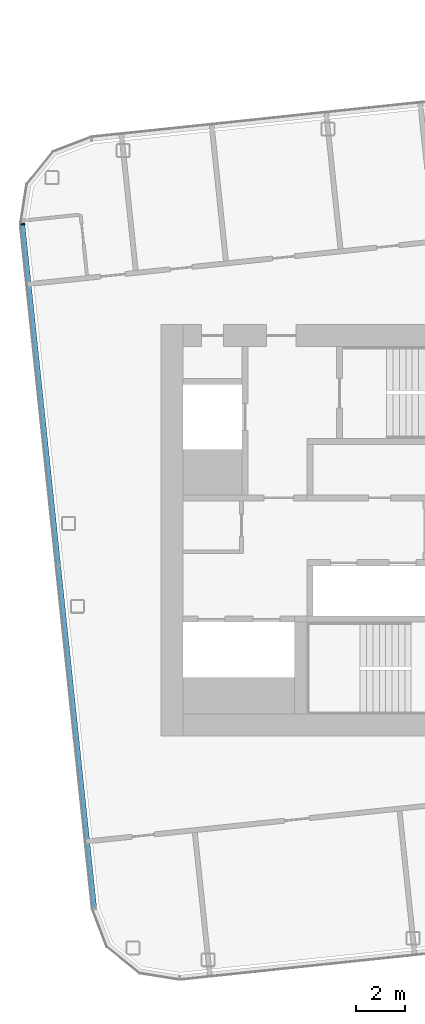
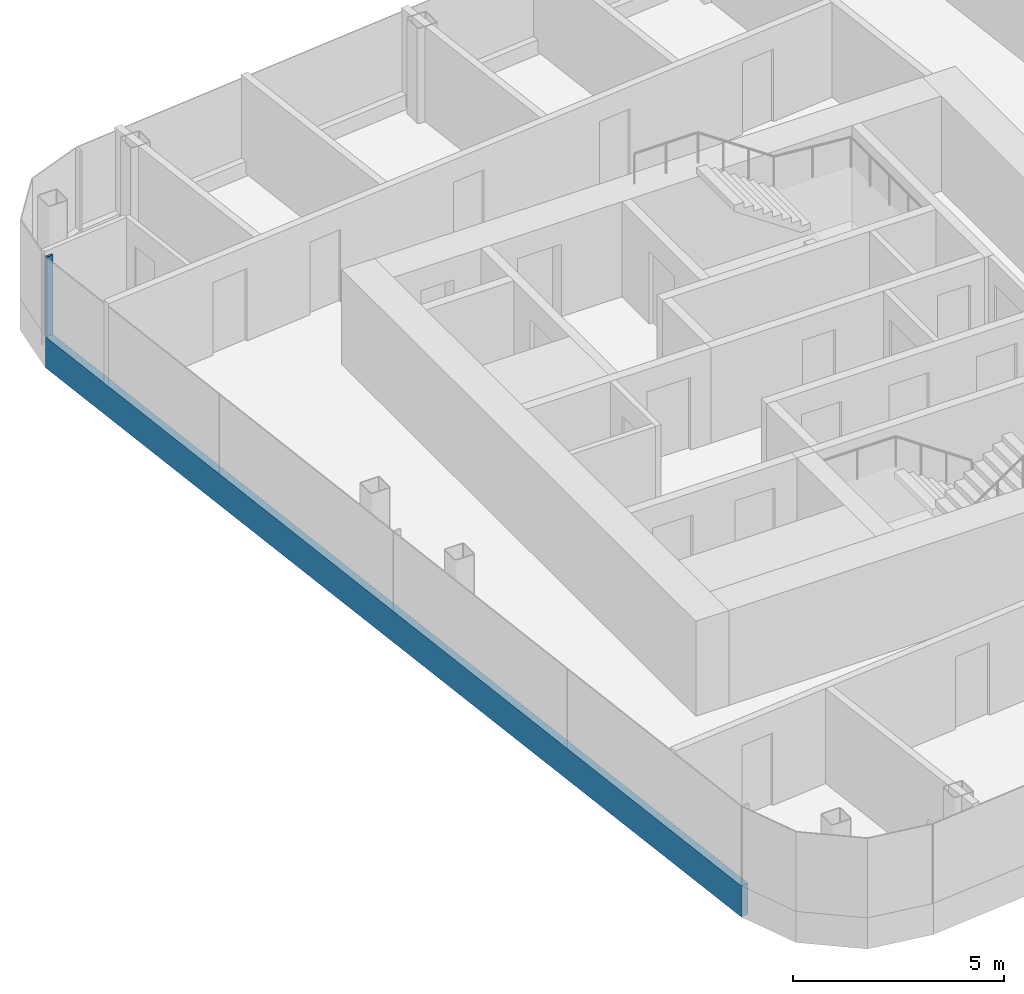
# One storey, part 4 of 27: 2 members, 1 element without a shape of its own.
"""IFC4 building model written with IfcOpenShell, lengths in metres."""

from ifc_helpers import new_model, si_unit, direction, frame, origin, origin_2d, place, context, subcontext, project, spatial, rectangle, extrude, material, layer, layer_set, material_profile, profile_set, type_object, element, aggregate, save


model = new_model("IFC4")

# Units and contexts
model_context = context("Model", 3, precision=1e-05, world=origin(), true_north=direction((0.0, 1.0)))
body_context = subcontext(model_context, "Body", "Model", "MODEL_VIEW")
ifc_project = project(units=[si_unit("LENGTHUNIT", "METRE"), si_unit("AREAUNIT", "SQUARE_METRE"), si_unit("VOLUMEUNIT", "CUBIC_METRE"), si_unit("PLANEANGLEUNIT", "RADIAN"), si_unit("MASSUNIT", "GRAM", prefix="KILO")], contexts=[model_context])

# Site, building, storey
site_placement = place(None, origin())
site = spatial("IfcSite", under=ifc_project, at=site_placement, CompositionType="ELEMENT")
building_placement = place(site_placement, origin())
building = spatial("IfcBuilding", under=site, at=building_placement, Name="Hakoniwa Tower and Hamabe Station Hall", CompositionType="ELEMENT")
storey_placement = place(building_placement, frame((0.0, 0.0, 242.199951171875)))
storey = spatial("IfcBuildingStorey", under=building, at=storey_placement, Name="L68", CompositionType="ELEMENT", Elevation=242.199951171875)

# Curtain wall, members
ifc_material_1 = material(Name="Dark low-e laminated glass", Category="glass")
ifc_layer = layer(ifc_material_1, 0.199951171875)
ifc_layer_set = layer_set([ifc_layer], Name="CW-1 UNITISED GUEST")
curtain_wall_type = type_object("IfcCurtainWallType", Name="CW-1 UNITISED GUEST", PredefinedType="NOTDEFINED", material=ifc_layer_set)
curtain_wall_placement = place(storey_placement, origin())
curtain_wall = element("IfcCurtainWall", 1, at=curtain_wall_placement, inside=storey, type_object=curtain_wall_type, Name="CW-1 curtain wall", PredefinedType="NOTDEFINED")
ifc_material_2 = material(Name="Aluminium 6063-T5 black anodised", Category="aluminium")
ifc_material_profile_1 = material_profile(ifc_material_2, rectangle(XDim=0.199951171875, YDim=0.89990234375, at=origin_2d()), Name="CW SLAB-EDGE BAND 900X200")
ifc_profile_set_1 = profile_set([ifc_material_profile_1], Name="Aluminium 6063-T5 black anodised")
member_type_1 = type_object("IfcMemberType", Name="CW SLAB-EDGE BAND 900X200", PredefinedType="USERDEFINED", material=ifc_profile_set_1)
member_1_placement = place(storey_placement, frame((-39.25927734375, 12.490478515625, -0.099853515625), z_axis=(0.104529086463, -0.994521829868, 0.0), x_axis=(0.994521829868, 0.104529086463, 0.0)))
member_1 = element("IfcMember", 2, at=member_1_placement, type_object=member_type_1, Name="CW-1 transom", ObjectType="TRANSOM", PredefinedType="USERDEFINED", context=body_context, shape_type="SweptSolid", body=[
    extrude(rectangle(XDim=0.199951171875, YDim=0.89990234375, at=origin_2d()), origin(), (0.0, 0.0, 1.0), 28.078857421875),
])
ifc_material_3 = material(Name="Aluminium 6063-T5 black anodised", Category="aluminium")
ifc_material_profile_2 = material_profile(ifc_material_3, rectangle(XDim=0.06005859375, YDim=0.179931640625, at=origin_2d()), Name="CW-1 MULLION 60X180")
ifc_profile_set_2 = profile_set([ifc_material_profile_2], Name="Aluminium 6063-T5 black anodised")
member_type_2 = type_object("IfcMemberType", Name="CW-1 MULLION 60X180", PredefinedType="MULLION", material=ifc_profile_set_2)
member_2_placement = place(storey_placement, frame((-39.241455078125, 12.492431640625, 0.35009765625), z_axis=(0.0, 0.0, 1.0), x_axis=(0.104528468631, -0.994521894805, 0.0)))
member_2 = element("IfcMember", 3, at=member_2_placement, type_object=member_type_2, Name="CW-1 mullion", PredefinedType="MULLION", context=body_context, shape_type="SweptSolid", body=[
    extrude(rectangle(XDim=0.06005859375, YDim=0.179931640625, at=origin_2d()), origin(), (0.0, 0.0, 1.0), 2.300048828125),
])
aggregate(curtain_wall, [member_2, member_1])

save(model, "model.ifc")
